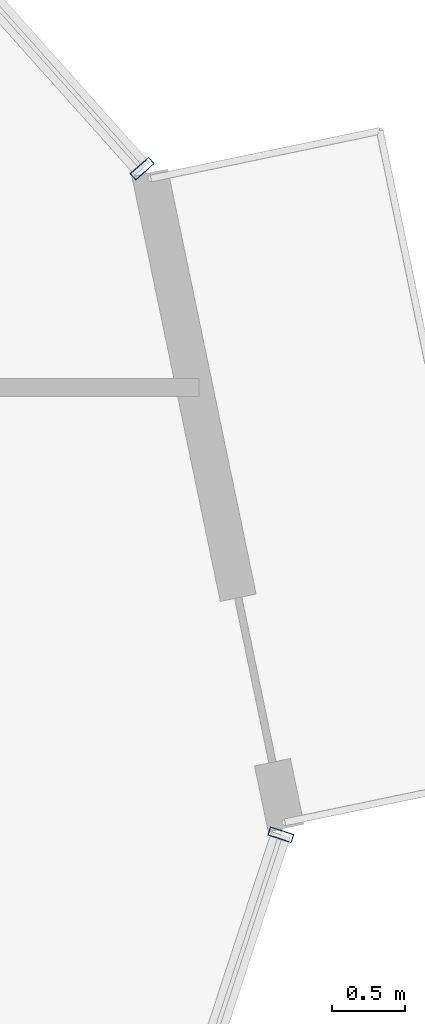
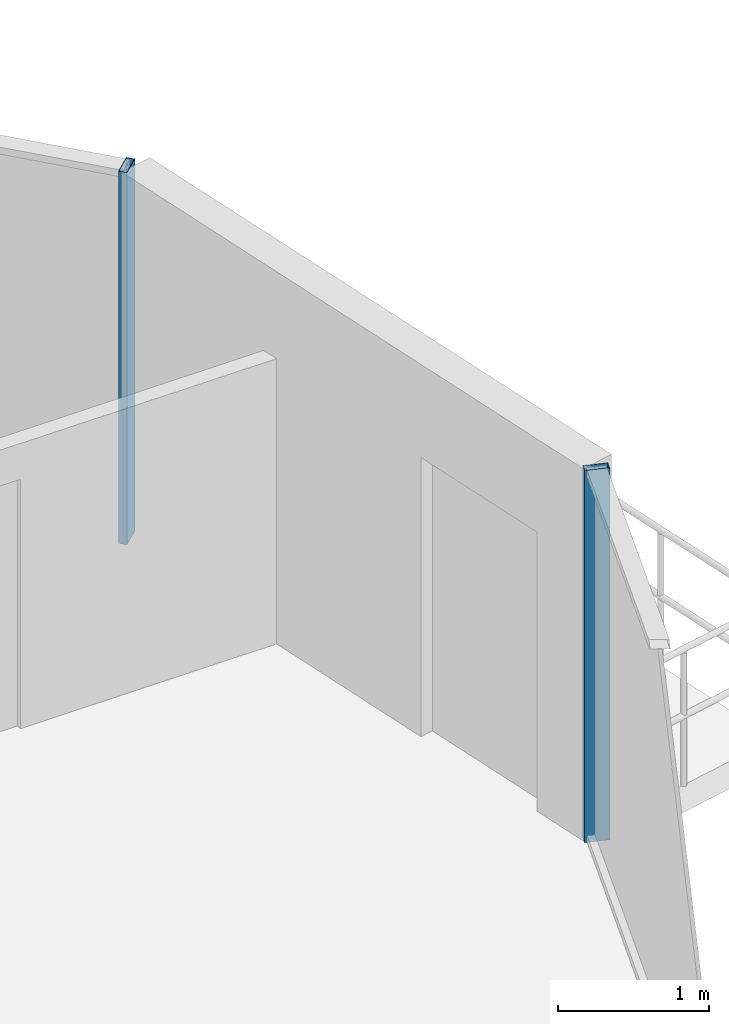
# One storey, part 20 of 38: 2 members, 2 elements without a shape of their own.
"""IFC4 building model written with IfcOpenShell, lengths in metres."""

from ifc_helpers import new_model, si_unit, direction, frame, origin, origin_2d, place, context, subcontext, project, spatial, hollow_rectangle, extrude, source, transform, mapped, material, layer, layer_set, material_profile, profile_set, type_object, element, aggregate, save


model = new_model("IFC4")

# Units and contexts
model_context = context("Model", 3, precision=1e-05, world=origin(), true_north=direction((0.0, 1.0)))
body_context = subcontext(model_context, "Body", "Model", "MODEL_VIEW")
ifc_project = project(units=[si_unit("LENGTHUNIT", "METRE"), si_unit("AREAUNIT", "SQUARE_METRE"), si_unit("VOLUMEUNIT", "CUBIC_METRE"), si_unit("PLANEANGLEUNIT", "RADIAN"), si_unit("MASSUNIT", "GRAM", prefix="KILO")], contexts=[model_context])

# Site, building, storey
site_placement = place(None, origin())
site = spatial("IfcSite", under=ifc_project, at=site_placement, CompositionType="ELEMENT")
building_placement = place(site_placement, origin())
building = spatial("IfcBuilding", under=site, at=building_placement, Name="Veraguas Prism Commons", CompositionType="ELEMENT")
storey_placement = place(building_placement, frame((0.0, 0.0, 64.10009765625)))
storey = spatial("IfcBuildingStorey", under=building, at=storey_placement, Name="L17", CompositionType="ELEMENT", Elevation=64.10009765625)

# Curtain wall, member
ifc_material = material(Name="Anodised aluminium EN AW-6063 T6", Category="aluminium")
ifc_layer = layer(ifc_material, 0.169921875, Name="Unitised Flush Curtain Wall Zone 1", Category="aluminium")
ifc_layer_set = layer_set([ifc_layer], Name="Anodised aluminium EN AW-6063 T6")
curtain_wall_type = type_object("IfcCurtainWallType", Name="Unitised Flush Curtain Wall Zone 1", PredefinedType="NOTDEFINED", material=ifc_layer_set)
curtain_wall_1_placement = place(storey_placement, origin())
curtain_wall_1 = element("IfcCurtainWall", 1, at=curtain_wall_1_placement, inside=storey, type_object=curtain_wall_type, Name="Tower Facade Curtain Wall L17-F1", PredefinedType="NOTDEFINED")
ifc_material_profile = material_profile(ifc_material, hollow_rectangle(XDim=0.06005859375, YDim=0.169921875, WallThickness=0.00390625, at=origin_2d()), Name="AL60X170X4")
ifc_profile_set = profile_set([ifc_material_profile], Name="Anodised aluminium EN AW-6063 T6")
member_type = type_object("IfcMemberType", Name="Curtain Wall Mullion Lower AL 60x170x4", PredefinedType="MULLION", material=ifc_profile_set)
shared_shape = source(origin(), body_context, "Body", "SweptSolid", [
    extrude(hollow_rectangle(XDim=0.06005859375, YDim=0.169921875, WallThickness=0.00390625, at=origin_2d()), origin(), (0.0, 0.0, 1.0), 3.0),
])
member_1_placement = place(storey_placement, frame((45.705810546875, 30.896728515625, 0.0), z_axis=(0.0, 0.0, 1.0), x_axis=(-0.666011867434, 0.745941145424, 0.0)))
member_1 = element("IfcMember", 2, at=member_1_placement, type_object=member_type, Name="CW-Z1 Mullion 1", PredefinedType="MULLION", context=body_context, shape_type="MappedRepresentation", body=[
    mapped(shared_shape, transform((0.0, 0.0, 0.0), scale=1.0)),
])
aggregate(curtain_wall_1, [member_1])

curtain_wall_2_placement = place(storey_placement, origin())
curtain_wall_2 = element("IfcCurtainWall", 3, at=curtain_wall_2_placement, inside=storey, type_object=curtain_wall_type, Name="Tower Facade Curtain Wall L17-F6", PredefinedType="NOTDEFINED")
member_2_placement = place(storey_placement, frame((46.65478515625, 26.338623046875, 0.0), z_axis=(0.0, 0.0, 1.0), x_axis=(0.312991417409, 0.949755954248, 0.0)))
member_2 = element("IfcMember", 4, at=member_2_placement, type_object=member_type, Name="CW-Z1 Mullion 5", PredefinedType="MULLION", context=body_context, shape_type="MappedRepresentation", body=[
    mapped(shared_shape, transform((0.0, 0.0, 0.0), scale=1.0)),
])
aggregate(curtain_wall_2, [member_2])

save(model, "model.ifc")
